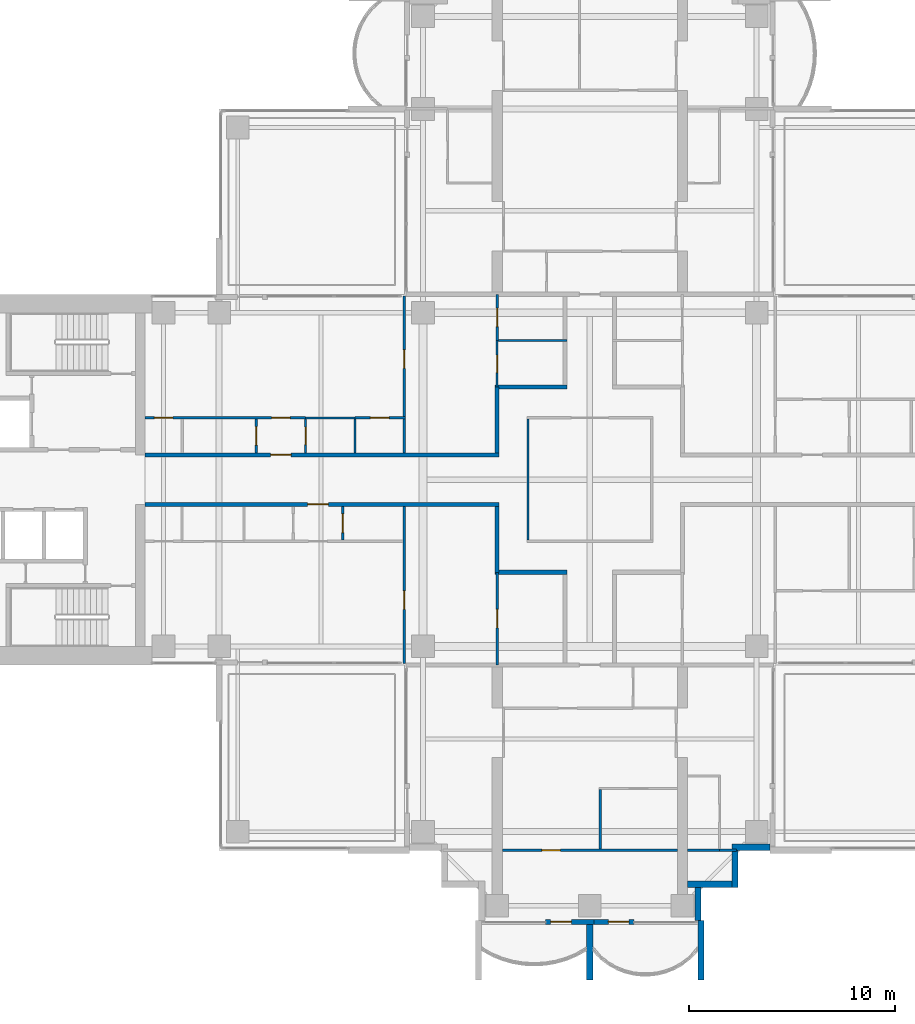
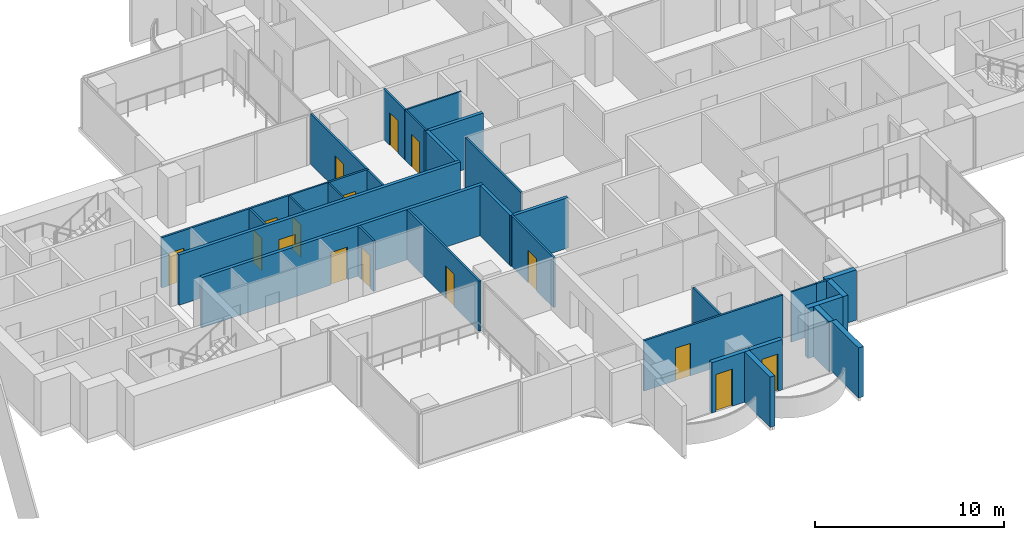
# One storey, part 10 of 19: 32 walls, 16 doors, 16 openings.
"""IFC4 building model written with IfcOpenShell, lengths in metres."""

from ifc_helpers import new_model, si_unit, direction, frame, frame_2d, origin, place, context, subcontext, project, spatial, rectangle, extrude, material, layer, layer_set, type_object, element, fill, save


model = new_model("IFC4")

# Units and contexts
model_context = context("Model", 3, precision=1e-05, world=origin(), true_north=direction((0.0, 1.0)))
body_context = subcontext(model_context, "Body", "Model", "MODEL_VIEW")
ifc_project = project(units=[si_unit("LENGTHUNIT", "METRE"), si_unit("AREAUNIT", "SQUARE_METRE"), si_unit("VOLUMEUNIT", "CUBIC_METRE"), si_unit("PLANEANGLEUNIT", "RADIAN"), si_unit("MASSUNIT", "GRAM", prefix="KILO")], contexts=[model_context])

# Site, building, storey
site_placement = place(None, origin())
site = spatial("IfcSite", under=ifc_project, at=site_placement, CompositionType="ELEMENT")
building_placement = place(site_placement, origin())
building = spatial("IfcBuilding", under=site, at=building_placement, Name="Perihelion Cross Residences", CompositionType="ELEMENT")
storey_placement = place(building_placement, frame((0.0, 0.0, 109.39990234375)))
storey = spatial("IfcBuildingStorey", under=building, at=storey_placement, Name="L25", CompositionType="ELEMENT", Elevation=109.39990234375)

# Wall, opening, door
ifc_material_1 = material(Name="Plasterboard partition")
ifc_layer_1 = layer(ifc_material_1, 0.199951171875)
ifc_layer_set_1 = layer_set([ifc_layer_1], Name="Apartment separation wall 200")
wall_type_1 = type_object("IfcWallType", Name="Apartment separation wall 200", PredefinedType="PARTITIONING", material=ifc_layer_set_1)
wall_1_placement = place(storey_placement, frame((-21.60009765625, 1.199951171875, 0.0), z_axis=(0.0, 0.0, 1.0), x_axis=(1.0, 0.0, 0.0)))
wall_1 = element("IfcWall", 1, at=wall_1_placement, inside=storey, type_object=wall_type_1, Name="Partition L25 W013", PredefinedType="PARTITIONING", context=body_context, shape_type="SweptSolid", body=[
    extrude(rectangle(XDim=17.2001953125, YDim=0.199951171875, at=frame_2d((8.60009765625, 0.0))), origin(), (0.0, 0.0, 1.0), 3.25),
])
opening_1_placement = place(wall_1_placement, frame((6.10009765625, 0.0, 0.0)))
opening_1 = element("IfcOpeningElement", 2, at=opening_1_placement, cuts=wall_1, Name="Opening L25.A48", PredefinedType="OPENING", context=body_context, shape_type="SweptSolid", body=[
    extrude(rectangle(XDim=1.0, YDim=2.10009765625, at=frame_2d((0.5, 1.050048828125))), frame((0.0, 0.10986328125, 0.0), z_axis=(0.0, -1.0, 0.0), x_axis=(1.0, 0.0, 0.0)), (0.0, 0.0, 1.0), 0.219970703125),
])
ifc_material_2 = material(Name="Timber door leaf", Category="wood")
door_type_1 = type_object("IfcDoorType", Name="Flat entrance door 1000 x 2100", OperationType="SINGLE_SWING_LEFT", PredefinedType="DOOR", material=ifc_material_2)
door_1_placement = place(opening_1_placement, origin())
door_1 = element("IfcDoor", 3, at=door_1_placement, inside=storey, type_object=door_type_1, Name="Door L25.A48", OperationType="SINGLE_SWING_RIGHT", OverallHeight=2.10009765625, OverallWidth=1.0, PredefinedType="DOOR", context=body_context, shape_type="SweptSolid", body=[
    extrude(rectangle(XDim=1.0, YDim=2.10009765625, at=frame_2d((0.5, 1.050048828125))), frame((0.0, 0.02490234375, 0.0), z_axis=(0.0, -1.0, 0.0), x_axis=(1.0, 0.0, 0.0)), (0.0, 0.0, 1.0), 0.050048828125),
])
fill(opening_1, door_1)

# Walls
wall_2_placement = place(storey_placement, frame((-4.5, 1.300048828125, 0.0), z_axis=(0.0, 0.0, 1.0), x_axis=(0.0, 1.0, 0.0)))
element("IfcWall", 4, at=wall_2_placement, inside=storey, type_object=wall_type_1, Name="Partition L25 W014", PredefinedType="PARTITIONING", context=body_context, shape_type="SweptSolid", body=[
    extrude(rectangle(XDim=3.199951171875, YDim=0.199951171875, at=frame_2d((1.60009765625, 0.0))), origin(), (0.0, 0.0, 1.0), 3.25),
])
wall_3_placement = place(storey_placement, frame((-4.60009765625, 4.5, 0.0), z_axis=(0.0, 0.0, 1.0), x_axis=(1.0, 0.0, 0.0)))
element("IfcWall", 5, at=wall_3_placement, inside=storey, type_object=wall_type_1, Name="Partition L25 W015", PredefinedType="PARTITIONING", context=body_context, shape_type="SweptSolid", body=[
    extrude(rectangle(XDim=3.5, YDim=0.199951171875, at=frame_2d((1.75, 0.0))), origin(), (0.0, 0.0, 1.0), 3.25),
])

# Wall, opening, door
wall_4_placement = place(storey_placement, frame((-4.39990234375, -1.199951171875, 0.0), z_axis=(0.0, 0.0, 1.0), x_axis=(-1.0, 0.0, 0.0)))
wall_4 = element("IfcWall", 6, at=wall_4_placement, inside=storey, type_object=wall_type_1, Name="Partition L25 W017", PredefinedType="PARTITIONING", context=body_context, shape_type="SweptSolid", body=[
    extrude(rectangle(XDim=17.2001953125, YDim=0.199951171875, at=frame_2d((8.60009765625, 0.0))), origin(), (0.0, 0.0, 1.0), 3.25),
])
opening_2_placement = place(wall_4_placement, frame((8.300048828125, 0.0, 0.0)))
opening_2 = element("IfcOpeningElement", 7, at=opening_2_placement, cuts=wall_4, Name="Opening L25.A49", PredefinedType="OPENING", context=body_context, shape_type="SweptSolid", body=[
    extrude(rectangle(XDim=1.0, YDim=2.10009765625, at=frame_2d((0.5, 1.050048828125))), frame((0.0, 0.10986328125, 0.0), z_axis=(0.0, -1.0, 0.0), x_axis=(1.0, 0.0, 0.0)), (0.0, 0.0, 1.0), 0.219970703125),
])
door_2_placement = place(opening_2_placement, origin())
door_2 = element("IfcDoor", 8, at=door_2_placement, inside=storey, type_object=door_type_1, Name="Door L25.A49", OperationType="SINGLE_SWING_RIGHT", OverallHeight=2.10009765625, OverallWidth=1.0, PredefinedType="DOOR", context=body_context, shape_type="SweptSolid", body=[
    extrude(rectangle(XDim=1.0, YDim=2.10009765625, at=frame_2d((0.5, 1.050048828125))), frame((0.0, 0.02490234375, 0.0), z_axis=(0.0, -1.0, 0.0), x_axis=(1.0, 0.0, 0.0)), (0.0, 0.0, 1.0), 0.050048828125),
])
fill(opening_2, door_2)

# Walls
wall_5_placement = place(storey_placement, frame((-4.5, -4.5, 0.0), z_axis=(0.0, 0.0, 1.0), x_axis=(0.0, 1.0, 0.0)))
element("IfcWall", 9, at=wall_5_placement, inside=storey, type_object=wall_type_1, Name="Partition L25 W018", PredefinedType="PARTITIONING", context=body_context, shape_type="SweptSolid", body=[
    extrude(rectangle(XDim=3.199951171875, YDim=0.199951171875, at=frame_2d((1.60009765625, 0.0))), origin(), (0.0, 0.0, 1.0), 3.25),
])
wall_6_placement = place(storey_placement, frame((-1.10009765625, -4.5, 0.0), z_axis=(0.0, 0.0, 1.0), x_axis=(-1.0, 0.0, 0.0)))
element("IfcWall", 10, at=wall_6_placement, inside=storey, type_object=wall_type_1, Name="Partition L25 W020", PredefinedType="PARTITIONING", context=body_context, shape_type="SweptSolid", body=[
    extrude(rectangle(XDim=3.5, YDim=0.199951171875, at=frame_2d((1.75, 0.0))), origin(), (0.0, 0.0, 1.0), 3.25),
])

# Wall, opening, door
ifc_material_3 = material(Name="Concrete C30/37, bronze-clad", Category="concrete")
ifc_layer_2 = layer(ifc_material_3, 0.25)
ifc_layer_set_2 = layer_set([ifc_layer_2], Name="Bronze-clad pier wall 250")
wall_type_2 = type_object("IfcWallType", Name="Bronze-clad pier wall 250", PredefinedType="SOLIDWALL", material=ifc_layer_set_2)
wall_7_placement = place(storey_placement, frame((-2.14990234375, -21.47509765625, 0.0), z_axis=(0.0, 0.0, 1.0), x_axis=(1.0, 0.0, 0.0)))
wall_7 = element("IfcWall", 11, at=wall_7_placement, inside=storey, type_object=wall_type_2, Name="Wall FW1 L25 south tip south bay 1 pier", PredefinedType="SOLIDWALL", context=body_context, shape_type="SweptSolid", body=[
    extrude(rectangle(XDim=2.349853515625, YDim=0.25, at=frame_2d((1.1748046875, 0.0))), origin(), (0.0, 0.0, 1.0), 3.25),
])
opening_3_placement = place(wall_7_placement, frame((0.25, 0.0, 0.0)))
opening_3 = element("IfcOpeningElement", 12, at=opening_3_placement, cuts=wall_7, Name="Opening L25.E11", PredefinedType="OPENING", context=body_context, shape_type="SweptSolid", body=[
    extrude(rectangle(XDim=1.0, YDim=2.39990234375, at=frame_2d((0.5, 1.199951171875))), frame((0.0, 0.135009765625, 0.0), z_axis=(0.0, -1.0, 0.0), x_axis=(1.0, 0.0, 0.0)), (0.0, 0.0, 1.0), 0.27001953125),
])
ifc_material_4 = material(Name="Bronze anodised aluminium, glazed", Category="aluminium")
door_type_2 = type_object("IfcDoorType", Name="Balcony door 1000 x 2400", OperationType="NOTDEFINED", PredefinedType="DOOR", material=ifc_material_4)
door_3_placement = place(opening_3_placement, origin())
door_3 = element("IfcDoor", 13, at=door_3_placement, inside=storey, type_object=door_type_2, Name="Door L25.E11 south tip south bay 1", OperationType="SINGLE_SWING_RIGHT", OverallHeight=2.39990234375, OverallWidth=1.0, PredefinedType="DOOR", context=body_context, shape_type="SweptSolid", body=[
    extrude(rectangle(XDim=1.0, YDim=2.39990234375, at=frame_2d((0.5, 1.199951171875))), frame((0.0, 0.02490234375, 0.0), z_axis=(0.0, -1.0, 0.0), x_axis=(1.0, 0.0, 0.0)), (0.0, 0.0, 1.0), 0.050048828125),
])
fill(opening_3, door_3)

wall_8_placement = place(storey_placement, frame((0.199951171875, -21.47509765625, 0.0), z_axis=(0.0, 0.0, 1.0), x_axis=(1.0, 0.0, 0.0)))
wall_8 = element("IfcWall", 14, at=wall_8_placement, inside=storey, type_object=wall_type_2, Name="Wall FW1 L25 south tip south bay 2 pier", PredefinedType="SOLIDWALL", context=body_context, shape_type="SweptSolid", body=[
    extrude(rectangle(XDim=1.949951171875, YDim=0.25, at=frame_2d((0.97509765625, 0.0))), origin(), (0.0, 0.0, 1.0), 3.25),
])
opening_4_placement = place(wall_8_placement, frame((0.699951171875, 0.0, 0.0)))
opening_4 = element("IfcOpeningElement", 15, at=opening_4_placement, cuts=wall_8, Name="Opening L25.E12", PredefinedType="OPENING", context=body_context, shape_type="SweptSolid", body=[
    extrude(rectangle(XDim=1.0, YDim=2.39990234375, at=frame_2d((0.5, 1.199951171875))), frame((0.0, 0.135009765625, 0.0), z_axis=(0.0, -1.0, 0.0), x_axis=(1.0, 0.0, 0.0)), (0.0, 0.0, 1.0), 0.27001953125),
])
door_4_placement = place(opening_4_placement, origin())
door_4 = element("IfcDoor", 16, at=door_4_placement, inside=storey, type_object=door_type_2, Name="Door L25.E12 south tip south bay 2", OperationType="SINGLE_SWING_LEFT", OverallHeight=2.39990234375, OverallWidth=1.0, PredefinedType="DOOR", context=body_context, shape_type="SweptSolid", body=[
    extrude(rectangle(XDim=1.0, YDim=2.39990234375, at=frame_2d((0.5, 1.199951171875))), frame((0.0, 0.02490234375, 0.0), z_axis=(0.0, -1.0, 0.0), x_axis=(1.0, 0.0, 0.0)), (0.0, 0.0, 1.0), 0.050048828125),
])
fill(opening_4, door_4)

# Walls
ifc_material_5 = material(Name="Concrete C30/37, bronze-clad", Category="concrete")
ifc_layer_3 = layer(ifc_material_5, 0.300048828125)
ifc_layer_set_3 = layer_set([ifc_layer_3], Name="Bronze-clad serration wall 300")
wall_type_3 = type_object("IfcWallType", Name="Bronze-clad serration wall 300", PredefinedType="SOLIDWALL", material=ifc_layer_set_3)
wall_9_placement = place(storey_placement, frame((5.25, -21.419921875, 0.0), z_axis=(0.0, 0.0, 1.0), x_axis=(0.0, 1.0, 0.0)))
element("IfcWall", 17, at=wall_9_placement, inside=storey, type_object=wall_type_3, Name="Wall SR1 L25 south corner south-east 1", PredefinedType="SOLIDWALL", context=body_context, shape_type="SweptSolid", body=[
    extrude(rectangle(XDim=1.619873046875, YDim=0.300048828125, at=frame_2d((0.81005859375, 0.0))), origin(), (0.0, 0.0, 1.0), 3.25),
])
wall_10_placement = place(storey_placement, frame((4.75, -19.64990234375, 0.0), z_axis=(0.0, 0.0, 1.0), x_axis=(1.0, 0.0, 0.0)))
element("IfcWall", 18, at=wall_10_placement, inside=storey, type_object=wall_type_3, Name="Wall SR1 L25 south corner south-east 2", PredefinedType="SOLIDWALL", context=body_context, shape_type="SweptSolid", body=[
    extrude(rectangle(XDim=2.14990234375, YDim=0.300048828125, at=frame_2d((1.074951171875, 0.0))), origin(), (0.0, 0.0, 1.0), 3.25),
])
wall_11_placement = place(storey_placement, frame((7.050048828125, -19.800048828125, 0.0), z_axis=(0.0, 0.0, 1.0), x_axis=(0.0, 1.0, 0.0)))
element("IfcWall", 19, at=wall_11_placement, inside=storey, type_object=wall_type_3, Name="Wall SR1 L25 south corner south-east 3", PredefinedType="SOLIDWALL", context=body_context, shape_type="SweptSolid", body=[
    extrude(rectangle(XDim=1.800048828125, YDim=0.300048828125, at=frame_2d((0.89990234375, 0.0))), origin(), (0.0, 0.0, 1.0), 3.25),
])
wall_12_placement = place(storey_placement, frame((6.89990234375, -17.85009765625, 0.0), z_axis=(0.0, 0.0, 1.0), x_axis=(1.0, 0.0, 0.0)))
element("IfcWall", 20, at=wall_12_placement, inside=storey, type_object=wall_type_3, Name="Wall SR1 L25 south corner south-east 4", PredefinedType="SOLIDWALL", context=body_context, shape_type="SweptSolid", body=[
    extrude(rectangle(XDim=1.85009765625, YDim=0.300048828125, at=frame_2d((0.925048828125, 0.0))), origin(), (0.0, 0.0, 1.0), 3.25),
])
ifc_material_6 = material(Name="Plasterboard partition")
ifc_layer_4 = layer(ifc_material_6, 0.1201171875)
ifc_layer_set_4 = layer_set([ifc_layer_4], Name="Partition wall 120")
wall_type_4 = type_object("IfcWallType", Name="Partition wall 120", PredefinedType="PARTITIONING", material=ifc_layer_set_4)
wall_13_placement = place(storey_placement, frame((-3.0, 2.93994140625, 0.0), z_axis=(0.0, 0.0, 1.0), x_axis=(0.0, -1.0, 0.0)))
element("IfcWall", 21, at=wall_13_placement, inside=storey, type_object=wall_type_4, Name="Partition L25 W004", PredefinedType="PARTITIONING", context=body_context, shape_type="SweptSolid", body=[
    extrude(rectangle(XDim=5.8798828125, YDim=0.1201171875, at=frame_2d((2.93994140625, 0.0))), origin(), (0.0, 0.0, 1.0), 3.25),
])

# Wall, opening, door
wall_14_placement = place(storey_placement, frame((-11.39990234375, 3.0, 0.0), z_axis=(0.0, 0.0, 1.0), x_axis=(1.0, 0.0, 0.0)))
wall_14 = element("IfcWall", 22, at=wall_14_placement, inside=storey, type_object=wall_type_4, Name="Partition L25 W043", PredefinedType="PARTITIONING", context=body_context, shape_type="SweptSolid", body=[
    extrude(rectangle(XDim=2.4599609375, YDim=0.1201171875, at=frame_2d((1.22998046875, 0.0))), origin(), (0.0, 0.0, 1.0), 3.25),
])
opening_5_placement = place(wall_14_placement, frame((0.75, 0.0, 0.0)))
opening_5 = element("IfcOpeningElement", 23, at=opening_5_placement, cuts=wall_14, Name="Opening L25.A24", PredefinedType="OPENING", context=body_context, shape_type="SweptSolid", body=[
    extrude(rectangle(XDim=0.89990234375, YDim=2.10009765625, at=frame_2d((0.449951171875, 1.050048828125))), frame((0.0, 0.070068359375, 0.0), z_axis=(0.0, -1.0, 0.0), x_axis=(1.0, 0.0, 0.0)), (0.0, 0.0, 1.0), 0.14013671875),
])
ifc_material_7 = material(Name="Timber door leaf", Category="wood")
door_type_3 = type_object("IfcDoorType", Name="Interior room door 900 x 2100", OperationType="SINGLE_SWING_LEFT", PredefinedType="DOOR", material=ifc_material_7)
door_5_placement = place(opening_5_placement, origin())
door_5 = element("IfcDoor", 24, at=door_5_placement, inside=storey, type_object=door_type_3, Name="Door L25.A24", OperationType="SINGLE_SWING_RIGHT", OverallHeight=2.10009765625, OverallWidth=0.89990234375, PredefinedType="DOOR", context=body_context, shape_type="SweptSolid", body=[
    extrude(rectangle(XDim=0.89990234375, YDim=2.10009765625, at=frame_2d((0.449951171875, 1.050048828125))), frame((0.0, 0.02490234375, 0.0), z_axis=(0.0, -1.0, 0.0), x_axis=(1.0, 0.0, 0.0)), (0.0, 0.0, 1.0), 0.050048828125),
])
fill(opening_5, door_5)

wall_15_placement = place(storey_placement, frame((-9.0, 8.919921875, 0.0), z_axis=(0.0, 0.0, 1.0), x_axis=(0.0, -1.0, 0.0)))
wall_15 = element("IfcWall", 25, at=wall_15_placement, inside=storey, type_object=wall_type_4, Name="Partition L25 W044", PredefinedType="PARTITIONING", context=body_context, shape_type="SweptSolid", body=[
    extrude(rectangle(XDim=7.619873046875, YDim=0.1201171875, at=frame_2d((3.81005859375, 0.0))), origin(), (0.0, 0.0, 1.0), 3.25),
])
opening_6_placement = place(wall_15_placement, frame((2.6201171875, 0.0, 0.0)))
opening_6 = element("IfcOpeningElement", 26, at=opening_6_placement, cuts=wall_15, Name="Opening L25.A19", PredefinedType="OPENING", context=body_context, shape_type="SweptSolid", body=[
    extrude(rectangle(XDim=0.89990234375, YDim=2.10009765625, at=frame_2d((0.449951171875, 1.050048828125))), frame((0.0, 0.070068359375, 0.0), z_axis=(0.0, -1.0, 0.0), x_axis=(1.0, 0.0, 0.0)), (0.0, 0.0, 1.0), 0.14013671875),
])
door_6_placement = place(opening_6_placement, origin())
door_6 = element("IfcDoor", 27, at=door_6_placement, inside=storey, type_object=door_type_3, Name="Door L25.A19", OperationType="SINGLE_SWING_LEFT", OverallHeight=2.10009765625, OverallWidth=0.89990234375, PredefinedType="DOOR", context=body_context, shape_type="SweptSolid", body=[
    extrude(rectangle(XDim=0.89990234375, YDim=2.10009765625, at=frame_2d((0.449951171875, 1.050048828125))), frame((0.0, 0.02490234375, 0.0), z_axis=(0.0, -1.0, 0.0), x_axis=(1.0, 0.0, 0.0)), (0.0, 0.0, 1.0), 0.050048828125),
])
fill(opening_6, door_6)

wall_16_placement = place(storey_placement, frame((-16.199951171875, 1.300048828125, 0.0), z_axis=(0.0, 0.0, 1.0), x_axis=(0.0, 1.0, 0.0)))
wall_16 = element("IfcWall", 28, at=wall_16_placement, inside=storey, type_object=wall_type_4, Name="Partition L25 W047", PredefinedType="PARTITIONING", context=body_context, shape_type="SweptSolid", body=[
    extrude(rectangle(XDim=1.639892578125, YDim=0.1201171875, at=frame_2d((0.81982421875, 0.0))), origin(), (0.0, 0.0, 1.0), 3.25),
])
opening_7_placement = place(wall_16_placement, frame((0.3701171875, 0.0, 0.0)))
opening_7 = element("IfcOpeningElement", 29, at=opening_7_placement, cuts=wall_16, Name="Opening L25.A20", PredefinedType="OPENING", context=body_context, shape_type="SweptSolid", body=[
    extrude(rectangle(XDim=0.89990234375, YDim=2.10009765625, at=frame_2d((0.449951171875, 1.050048828125))), frame((0.0, 0.070068359375, 0.0), z_axis=(0.0, -1.0, 0.0), x_axis=(1.0, 0.0, 0.0)), (0.0, 0.0, 1.0), 0.14013671875),
])
door_7_placement = place(opening_7_placement, origin())
door_7 = element("IfcDoor", 30, at=door_7_placement, inside=storey, type_object=door_type_3, Name="Door L25.A20", OperationType="SINGLE_SWING_LEFT", OverallHeight=2.10009765625, OverallWidth=0.89990234375, PredefinedType="DOOR", context=body_context, shape_type="SweptSolid", body=[
    extrude(rectangle(XDim=0.89990234375, YDim=2.10009765625, at=frame_2d((0.449951171875, 1.050048828125))), frame((0.0, 0.02490234375, 0.0), z_axis=(0.0, -1.0, 0.0), x_axis=(1.0, 0.0, 0.0)), (0.0, 0.0, 1.0), 0.050048828125),
])
fill(opening_7, door_7)

# Wall, openings, doors
wall_17_placement = place(storey_placement, frame((-21.60009765625, 3.0, 0.0), z_axis=(0.0, 0.0, 1.0), x_axis=(1.0, 0.0, 0.0)))
wall_17 = element("IfcWall", 31, at=wall_17_placement, inside=storey, type_object=wall_type_4, Name="Partition L25 W048", PredefinedType="PARTITIONING", context=body_context, shape_type="SweptSolid", body=[
    extrude(rectangle(XDim=7.800048828125, YDim=0.1201171875, at=frame_2d((3.89990234375, 0.0))), origin(), (0.0, 0.0, 1.0), 3.25),
])
opening_8_placement = place(wall_17_placement, frame((0.449951171875, 0.0, 0.0)))
opening_8 = element("IfcOpeningElement", 32, at=opening_8_placement, cuts=wall_17, Name="Opening L25.A21", PredefinedType="OPENING", context=body_context, shape_type="SweptSolid", body=[
    extrude(rectangle(XDim=0.89990234375, YDim=2.10009765625, at=frame_2d((0.449951171875, 1.050048828125))), frame((0.0, 0.070068359375, 0.0), z_axis=(0.0, -1.0, 0.0), x_axis=(1.0, 0.0, 0.0)), (0.0, 0.0, 1.0), 0.14013671875),
])
opening_9_placement = place(wall_17_placement, frame((6.14990234375, 0.0, 0.0)))
opening_9 = element("IfcOpeningElement", 33, at=opening_9_placement, cuts=wall_17, Name="Opening L25.A23", PredefinedType="OPENING", context=body_context, shape_type="SweptSolid", body=[
    extrude(rectangle(XDim=0.89990234375, YDim=2.10009765625, at=frame_2d((0.449951171875, 1.050048828125))), frame((0.0, 0.070068359375, 0.0), z_axis=(0.0, -1.0, 0.0), x_axis=(1.0, 0.0, 0.0)), (0.0, 0.0, 1.0), 0.14013671875),
])
door_8_placement = place(opening_8_placement, origin())
door_8 = element("IfcDoor", 34, at=door_8_placement, inside=storey, type_object=door_type_3, Name="Door L25.A21", OperationType="SINGLE_SWING_RIGHT", OverallHeight=2.10009765625, OverallWidth=0.89990234375, PredefinedType="DOOR", context=body_context, shape_type="SweptSolid", body=[
    extrude(rectangle(XDim=0.89990234375, YDim=2.10009765625, at=frame_2d((0.449951171875, 1.050048828125))), frame((0.0, 0.02490234375, 0.0), z_axis=(0.0, -1.0, 0.0), x_axis=(1.0, 0.0, 0.0)), (0.0, 0.0, 1.0), 0.050048828125),
])
fill(opening_8, door_8)
door_9_placement = place(opening_9_placement, origin())
door_9 = element("IfcDoor", 35, at=door_9_placement, inside=storey, type_object=door_type_3, Name="Door L25.A23", OperationType="SINGLE_SWING_RIGHT", OverallHeight=2.10009765625, OverallWidth=0.89990234375, PredefinedType="DOOR", context=body_context, shape_type="SweptSolid", body=[
    extrude(rectangle(XDim=0.89990234375, YDim=2.10009765625, at=frame_2d((0.449951171875, 1.050048828125))), frame((0.0, 0.02490234375, 0.0), z_axis=(0.0, -1.0, 0.0), x_axis=(1.0, 0.0, 0.0)), (0.0, 0.0, 1.0), 0.050048828125),
])
fill(opening_9, door_9)

# Wall, opening, door
wall_18_placement = place(storey_placement, frame((-4.5, 9.0, 0.0), z_axis=(0.0, 0.0, 1.0), x_axis=(0.0, -1.0, 0.0)))
wall_18 = element("IfcWall", 36, at=wall_18_placement, inside=storey, type_object=wall_type_4, Name="Partition L25 W051", PredefinedType="PARTITIONING", context=body_context, shape_type="SweptSolid", body=[
    extrude(rectangle(XDim=2.25, YDim=0.1201171875, at=frame_2d((1.125, 0.0))), origin(), (0.0, 0.0, 1.0), 3.25),
])
opening_10_placement = place(wall_18_placement, frame((0.675048828125, 0.0, 0.0)))
opening_10 = element("IfcOpeningElement", 37, at=opening_10_placement, cuts=wall_18, Name="Opening L25.A22", PredefinedType="OPENING", context=body_context, shape_type="SweptSolid", body=[
    extrude(rectangle(XDim=0.89990234375, YDim=2.10009765625, at=frame_2d((0.449951171875, 1.050048828125))), frame((0.0, 0.070068359375, 0.0), z_axis=(0.0, -1.0, 0.0), x_axis=(1.0, 0.0, 0.0)), (0.0, 0.0, 1.0), 0.14013671875),
])
door_10_placement = place(opening_10_placement, origin())
door_10 = element("IfcDoor", 38, at=door_10_placement, inside=storey, type_object=door_type_3, Name="Door L25.A22", OperationType="SINGLE_SWING_LEFT", OverallHeight=2.10009765625, OverallWidth=0.89990234375, PredefinedType="DOOR", context=body_context, shape_type="SweptSolid", body=[
    extrude(rectangle(XDim=0.89990234375, YDim=2.10009765625, at=frame_2d((0.449951171875, 1.050048828125))), frame((0.0, 0.02490234375, 0.0), z_axis=(0.0, -1.0, 0.0), x_axis=(1.0, 0.0, 0.0)), (0.0, 0.0, 1.0), 0.050048828125),
])
fill(opening_10, door_10)

wall_19_placement = place(storey_placement, frame((-12.0, -2.93994140625, 0.0), z_axis=(0.0, 0.0, 1.0), x_axis=(0.0, 1.0, 0.0)))
wall_19 = element("IfcWall", 39, at=wall_19_placement, inside=storey, type_object=wall_type_4, Name="Partition L25 W053", PredefinedType="PARTITIONING", context=body_context, shape_type="SweptSolid", body=[
    extrude(rectangle(XDim=1.639892578125, YDim=0.1201171875, at=frame_2d((0.81982421875, 0.0))), origin(), (0.0, 0.0, 1.0), 3.25),
])
opening_11_placement = place(wall_19_placement, frame((0.3701171875, 0.0, 0.0)))
opening_11 = element("IfcOpeningElement", 40, at=opening_11_placement, cuts=wall_19, Name="Opening L25.A27", PredefinedType="OPENING", context=body_context, shape_type="SweptSolid", body=[
    extrude(rectangle(XDim=0.89990234375, YDim=2.10009765625, at=frame_2d((0.449951171875, 1.050048828125))), frame((0.0, 0.070068359375, 0.0), z_axis=(0.0, -1.0, 0.0), x_axis=(1.0, 0.0, 0.0)), (0.0, 0.0, 1.0), 0.14013671875),
])
door_11_placement = place(opening_11_placement, origin())
door_11 = element("IfcDoor", 41, at=door_11_placement, inside=storey, type_object=door_type_3, Name="Door L25.A27", OperationType="SINGLE_SWING_RIGHT", OverallHeight=2.10009765625, OverallWidth=0.89990234375, PredefinedType="DOOR", context=body_context, shape_type="SweptSolid", body=[
    extrude(rectangle(XDim=0.89990234375, YDim=2.10009765625, at=frame_2d((0.449951171875, 1.050048828125))), frame((0.0, 0.02490234375, 0.0), z_axis=(0.0, -1.0, 0.0), x_axis=(1.0, 0.0, 0.0)), (0.0, 0.0, 1.0), 0.050048828125),
])
fill(opening_11, door_11)

wall_20_placement = place(storey_placement, frame((-9.0, -1.300048828125, 0.0), z_axis=(0.0, 0.0, 1.0), x_axis=(0.0, -1.0, 0.0)))
wall_20 = element("IfcWall", 42, at=wall_20_placement, inside=storey, type_object=wall_type_4, Name="Partition L25 W055", PredefinedType="PARTITIONING", context=body_context, shape_type="SweptSolid", body=[
    extrude(rectangle(XDim=7.619873046875, YDim=0.1201171875, at=frame_2d((3.81005859375, 0.0))), origin(), (0.0, 0.0, 1.0), 3.25),
])
opening_12_placement = place(wall_20_placement, frame((4.10009765625, 0.0, 0.0)))
opening_12 = element("IfcOpeningElement", 43, at=opening_12_placement, cuts=wall_20, Name="Opening L25.A30", PredefinedType="OPENING", context=body_context, shape_type="SweptSolid", body=[
    extrude(rectangle(XDim=0.89990234375, YDim=2.10009765625, at=frame_2d((0.449951171875, 1.050048828125))), frame((0.0, 0.070068359375, 0.0), z_axis=(0.0, -1.0, 0.0), x_axis=(1.0, 0.0, 0.0)), (0.0, 0.0, 1.0), 0.14013671875),
])
door_12_placement = place(opening_12_placement, origin())
door_12 = element("IfcDoor", 44, at=door_12_placement, inside=storey, type_object=door_type_3, Name="Door L25.A30", OperationType="SINGLE_SWING_RIGHT", OverallHeight=2.10009765625, OverallWidth=0.89990234375, PredefinedType="DOOR", context=body_context, shape_type="SweptSolid", body=[
    extrude(rectangle(XDim=0.89990234375, YDim=2.10009765625, at=frame_2d((0.449951171875, 1.050048828125))), frame((0.0, 0.02490234375, 0.0), z_axis=(0.0, -1.0, 0.0), x_axis=(1.0, 0.0, 0.0)), (0.0, 0.0, 1.0), 0.050048828125),
])
fill(opening_12, door_12)

wall_21_placement = place(storey_placement, frame((-4.5, -4.5, 0.0), z_axis=(0.0, 0.0, 1.0), x_axis=(0.0, -1.0, 0.0)))
wall_21 = element("IfcWall", 45, at=wall_21_placement, inside=storey, type_object=wall_type_4, Name="Partition L25 W061", PredefinedType="PARTITIONING", context=body_context, shape_type="SweptSolid", body=[
    extrude(rectangle(XDim=4.5, YDim=0.1201171875, at=frame_2d((2.25, 0.0))), origin(), (0.0, 0.0, 1.0), 3.25),
])
opening_13_placement = place(wall_21_placement, frame((1.800048828125, 0.0, 0.0)))
opening_13 = element("IfcOpeningElement", 46, at=opening_13_placement, cuts=wall_21, Name="Opening L25.A26", PredefinedType="OPENING", context=body_context, shape_type="SweptSolid", body=[
    extrude(rectangle(XDim=0.89990234375, YDim=2.10009765625, at=frame_2d((0.449951171875, 1.050048828125))), frame((0.0, 0.070068359375, 0.0), z_axis=(0.0, -1.0, 0.0), x_axis=(1.0, 0.0, 0.0)), (0.0, 0.0, 1.0), 0.14013671875),
])
door_13_placement = place(opening_13_placement, origin())
door_13 = element("IfcDoor", 47, at=door_13_placement, inside=storey, type_object=door_type_3, Name="Door L25.A26", OperationType="SINGLE_SWING_RIGHT", OverallHeight=2.10009765625, OverallWidth=0.89990234375, PredefinedType="DOOR", context=body_context, shape_type="SweptSolid", body=[
    extrude(rectangle(XDim=0.89990234375, YDim=2.10009765625, at=frame_2d((0.449951171875, 1.050048828125))), frame((0.0, 0.02490234375, 0.0), z_axis=(0.0, -1.0, 0.0), x_axis=(1.0, 0.0, 0.0)), (0.0, 0.0, 1.0), 0.050048828125),
])
fill(opening_13, door_13)

# Wall
wall_22_placement = place(storey_placement, frame((0.5, -15.06005859375, 0.0), z_axis=(0.0, 0.0, 1.0), x_axis=(0.0, -1.0, 0.0)))
element("IfcWall", 48, at=wall_22_placement, inside=storey, type_object=wall_type_4, Name="Partition L25 W082", PredefinedType="PARTITIONING", context=body_context, shape_type="SweptSolid", body=[
    extrude(rectangle(XDim=2.8798828125, YDim=0.1201171875, at=frame_2d((1.43994140625, 0.0))), origin(), (0.0, 0.0, 1.0), 3.25),
])

# Wall, opening, door
wall_23_placement = place(storey_placement, frame((4.25, -18.0, 0.0), z_axis=(0.0, 0.0, 1.0), x_axis=(-1.0, 0.0, 0.0)))
wall_23 = element("IfcWall", 49, at=wall_23_placement, inside=storey, type_object=wall_type_4, Name="Partition L25 W083", PredefinedType="PARTITIONING", context=body_context, shape_type="SweptSolid", body=[
    extrude(rectangle(XDim=8.5, YDim=0.1201171875, at=frame_2d((4.25, 0.0))), origin(), (0.0, 0.0, 1.0), 3.25),
])
opening_14_placement = place(wall_23_placement, frame((5.675048828125, 0.0, 0.0)))
opening_14 = element("IfcOpeningElement", 50, at=opening_14_placement, cuts=wall_23, Name="Opening L25.A44", PredefinedType="OPENING", context=body_context, shape_type="SweptSolid", body=[
    extrude(rectangle(XDim=0.89990234375, YDim=2.10009765625, at=frame_2d((0.449951171875, 1.050048828125))), frame((0.0, 0.070068359375, 0.0), z_axis=(0.0, -1.0, 0.0), x_axis=(1.0, 0.0, 0.0)), (0.0, 0.0, 1.0), 0.14013671875),
])
door_14_placement = place(opening_14_placement, origin())
door_14 = element("IfcDoor", 51, at=door_14_placement, inside=storey, type_object=door_type_3, Name="Door L25.A44", OperationType="SINGLE_SWING_LEFT", OverallHeight=2.10009765625, OverallWidth=0.89990234375, PredefinedType="DOOR", context=body_context, shape_type="SweptSolid", body=[
    extrude(rectangle(XDim=0.89990234375, YDim=2.10009765625, at=frame_2d((0.449951171875, 1.050048828125))), frame((0.0, 0.02490234375, 0.0), z_axis=(0.0, -1.0, 0.0), x_axis=(1.0, 0.0, 0.0)), (0.0, 0.0, 1.0), 0.050048828125),
])
fill(opening_14, door_14)

# Walls
wall_24_placement = place(storey_placement, frame((7.1201171875, -18.0, 0.0), z_axis=(0.0, 0.0, 1.0), x_axis=(-1.0, 0.0, 0.0)))
element("IfcWall", 52, at=wall_24_placement, inside=storey, type_object=wall_type_4, Name="Partition L25 W086", PredefinedType="PARTITIONING", context=body_context, shape_type="SweptSolid", body=[
    extrude(rectangle(XDim=0.820068359375, YDim=0.1201171875, at=frame_2d((0.41015625, 0.0))), origin(), (0.0, 0.0, 1.0), 3.25),
])
ifc_material_8 = material(Name="Precast concrete C50/60", Category="concrete")
ifc_layer_5 = layer(ifc_material_8, 0.300048828125)
ifc_layer_set_5 = layer_set([ifc_layer_5], Name="Precast concrete C50/60 blade wall 300")
wall_type_5 = type_object("IfcWallType", Name="Precast concrete C50/60 blade wall 300", PredefinedType="SOLIDWALL", material=ifc_layer_set_5)
wall_25_placement = place(storey_placement, frame((0.0, -21.60009765625, 0.0), z_axis=(0.0, 0.0, 1.0), x_axis=(0.0, -1.0, 0.0)))
element("IfcWall", 53, at=wall_25_placement, inside=storey, type_object=wall_type_5, Name="Wall BL1 L25 no. 8", PredefinedType="SOLIDWALL", context=body_context, shape_type="SweptSolid", body=[
    extrude(rectangle(XDim=2.699951171875, YDim=0.300048828125, at=frame_2d((1.35009765625, 0.0))), origin(), (0.0, 0.0, 1.0), 3.25),
])
wall_26_placement = place(storey_placement, frame((5.39990234375, -21.419921875, 0.0), z_axis=(0.0, 0.0, 1.0), x_axis=(0.0, -1.0, 0.0)))
element("IfcWall", 54, at=wall_26_placement, inside=storey, type_object=wall_type_5, Name="Wall BL1 L25 no. 12", PredefinedType="SOLIDWALL", context=body_context, shape_type="SweptSolid", body=[
    extrude(rectangle(XDim=2.880126953125, YDim=0.300048828125, at=frame_2d((1.43994140625, 0.0))), origin(), (0.0, 0.0, 1.0), 3.25),
])
ifc_material_9 = material(Name="Plasterboard partition")
ifc_layer_6 = layer(ifc_material_9, 0.10009765625)
ifc_layer_set_6 = layer_set([ifc_layer_6], Name="Wet room wall 100")
wall_type_6 = type_object("IfcWallType", Name="Wet room wall 100", PredefinedType="PARTITIONING", material=ifc_layer_set_6)
wall_27_placement = place(storey_placement, frame((-11.39990234375, 1.300048828125, 0.0), z_axis=(0.0, 0.0, 1.0), x_axis=(0.0, 1.0, 0.0)))
element("IfcWall", 55, at=wall_27_placement, inside=storey, type_object=wall_type_6, Name="Partition L25 W042", PredefinedType="PARTITIONING", context=body_context, shape_type="SweptSolid", body=[
    extrude(rectangle(XDim=1.639892578125, YDim=0.10009765625, at=frame_2d((0.81982421875, 0.0))), origin(), (0.0, 0.0, 1.0), 3.25),
])

# Wall, opening, door
wall_28_placement = place(storey_placement, frame((-13.800048828125, 1.300048828125, 0.0), z_axis=(0.0, 0.0, 1.0), x_axis=(0.0, 1.0, 0.0)))
wall_28 = element("IfcWall", 56, at=wall_28_placement, inside=storey, type_object=wall_type_6, Name="Partition L25 W045", PredefinedType="PARTITIONING", context=body_context, shape_type="SweptSolid", body=[
    extrude(rectangle(XDim=1.639892578125, YDim=0.10009765625, at=frame_2d((0.81982421875, 0.0))), origin(), (0.0, 0.0, 1.0), 3.25),
])
opening_15_placement = place(wall_28_placement, frame((0.39501953125, 0.0, 0.0)))
opening_15 = element("IfcOpeningElement", 57, at=opening_15_placement, cuts=wall_28, Name="Opening L25.A17", PredefinedType="OPENING", context=body_context, shape_type="SweptSolid", body=[
    extrude(rectangle(XDim=0.85009765625, YDim=2.10009765625, at=frame_2d((0.425048828125, 1.050048828125))), frame((0.0, 0.06005859375, 0.0), z_axis=(0.0, -1.0, 0.0), x_axis=(1.0, 0.0, 0.0)), (0.0, 0.0, 1.0), 0.1201171875),
])
ifc_material_10 = material(Name="Timber door leaf", Category="wood")
door_type_4 = type_object("IfcDoorType", Name="Interior bathroom door 850 x 2100", OperationType="SINGLE_SWING_LEFT", PredefinedType="DOOR", material=ifc_material_10)
door_15_placement = place(opening_15_placement, origin())
door_15 = element("IfcDoor", 58, at=door_15_placement, inside=storey, type_object=door_type_4, Name="Door L25.A17", OperationType="SINGLE_SWING_RIGHT", OverallHeight=2.10009765625, OverallWidth=0.85009765625, PredefinedType="DOOR", context=body_context, shape_type="SweptSolid", body=[
    extrude(rectangle(XDim=0.85009765625, YDim=2.10009765625, at=frame_2d((0.425048828125, 1.050048828125))), frame((0.0, 0.02490234375, 0.0), z_axis=(0.0, -1.0, 0.0), x_axis=(1.0, 0.0, 0.0)), (0.0, 0.0, 1.0), 0.050048828125),
])
fill(opening_15, door_15)

# Wall
wall_29_placement = place(storey_placement, frame((-13.800048828125, 3.0, 0.0), z_axis=(0.0, 0.0, 1.0), x_axis=(1.0, 0.0, 0.0)))
element("IfcWall", 59, at=wall_29_placement, inside=storey, type_object=wall_type_6, Name="Partition L25 W046", PredefinedType="PARTITIONING", context=body_context, shape_type="SweptSolid", body=[
    extrude(rectangle(XDim=2.400146484375, YDim=0.10009765625, at=frame_2d((1.2001953125, 0.0))), origin(), (0.0, 0.0, 1.0), 3.25),
])

# Wall, opening, door
wall_30_placement = place(storey_placement, frame((-4.5, 6.75, 0.0), z_axis=(0.0, 0.0, 1.0), x_axis=(0.0, -1.0, 0.0)))
wall_30 = element("IfcWall", 60, at=wall_30_placement, inside=storey, type_object=wall_type_6, Name="Partition L25 W050", PredefinedType="PARTITIONING", context=body_context, shape_type="SweptSolid", body=[
    extrude(rectangle(XDim=2.25, YDim=0.10009765625, at=frame_2d((1.125, 0.0))), origin(), (0.0, 0.0, 1.0), 3.25),
])
opening_16_placement = place(wall_30_placement, frame((0.699951171875, 0.0, 0.0)))
opening_16 = element("IfcOpeningElement", 61, at=opening_16_placement, cuts=wall_30, Name="Opening L25.A18", PredefinedType="OPENING", context=body_context, shape_type="SweptSolid", body=[
    extrude(rectangle(XDim=0.85009765625, YDim=2.10009765625, at=frame_2d((0.425048828125, 1.050048828125))), frame((0.0, 0.06005859375, 0.0), z_axis=(0.0, -1.0, 0.0), x_axis=(1.0, 0.0, 0.0)), (0.0, 0.0, 1.0), 0.1201171875),
])
door_16_placement = place(opening_16_placement, origin())
door_16 = element("IfcDoor", 62, at=door_16_placement, inside=storey, type_object=door_type_4, Name="Door L25.A18", OperationType="SINGLE_SWING_RIGHT", OverallHeight=2.10009765625, OverallWidth=0.85009765625, PredefinedType="DOOR", context=body_context, shape_type="SweptSolid", body=[
    extrude(rectangle(XDim=0.85009765625, YDim=2.10009765625, at=frame_2d((0.425048828125, 1.050048828125))), frame((0.0, 0.02490234375, 0.0), z_axis=(0.0, -1.0, 0.0), x_axis=(1.0, 0.0, 0.0)), (0.0, 0.0, 1.0), 0.050048828125),
])
fill(opening_16, door_16)

# Walls
wall_31_placement = place(storey_placement, frame((-4.56005859375, 6.75, 0.0), z_axis=(0.0, 0.0, 1.0), x_axis=(1.0, 0.0, 0.0)))
element("IfcWall", 63, at=wall_31_placement, inside=storey, type_object=wall_type_6, Name="Partition L25 W052", PredefinedType="PARTITIONING", context=body_context, shape_type="SweptSolid", body=[
    extrude(rectangle(XDim=3.4599609375, YDim=0.10009765625, at=frame_2d((1.72998046875, 0.0))), origin(), (0.0, 0.0, 1.0), 3.25),
])
wall_32_placement = place(storey_placement, frame((6.300048828125, -18.0, 0.0), z_axis=(0.0, 0.0, 1.0), x_axis=(-1.0, 0.0, 0.0)))
element("IfcWall", 64, at=wall_32_placement, inside=storey, type_object=wall_type_6, Name="Partition L25 W087", PredefinedType="PARTITIONING", context=body_context, shape_type="SweptSolid", body=[
    extrude(rectangle(XDim=1.550048828125, YDim=0.10009765625, at=frame_2d((0.77490234375, 0.0))), origin(), (0.0, 0.0, 1.0), 3.25),
])

save(model, "model.ifc")
